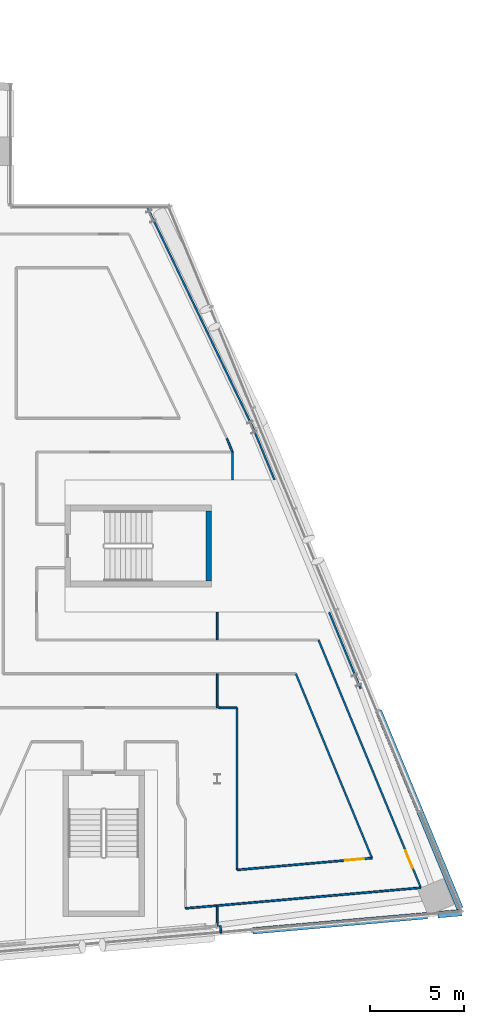
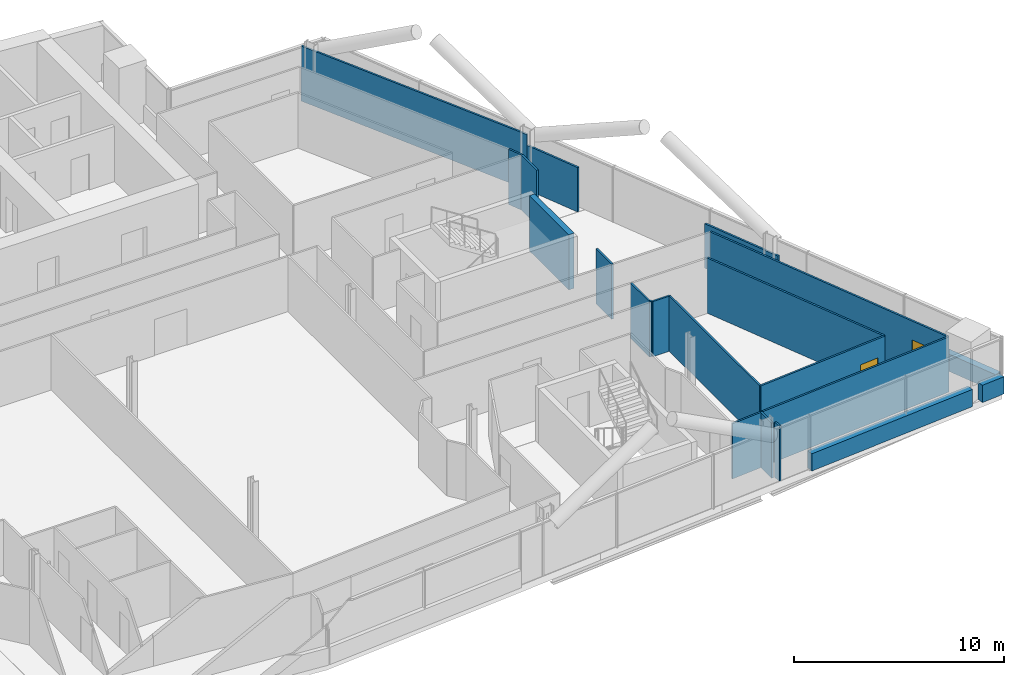
# One storey, part 20 of 27: 21 walls, 2 doors, 2 openings.
"""IFC4 building model written with IfcOpenShell, lengths in metres."""

from ifc_helpers import new_model, si_unit, direction, frame, frame_2d, origin, place, context, subcontext, project, spatial, rectangle, extrude, material, layer, layer_set, type_object, element, fill, save


model = new_model("IFC4")

# Units and contexts
model_context = context("Model", 3, precision=1e-05, world=origin(), true_north=direction((0.0, 1.0)))
body_context = subcontext(model_context, "Body", "Model", "MODEL_VIEW")
ifc_project = project(units=[si_unit("LENGTHUNIT", "METRE"), si_unit("AREAUNIT", "SQUARE_METRE"), si_unit("VOLUMEUNIT", "CUBIC_METRE"), si_unit("PLANEANGLEUNIT", "RADIAN"), si_unit("MASSUNIT", "GRAM", prefix="KILO")], contexts=[model_context])

# Site, building, storey
site_placement = place(None, origin())
site = spatial("IfcSite", under=ifc_project, at=site_placement, CompositionType="ELEMENT")
building_placement = place(site_placement, origin())
building = spatial("IfcBuilding", under=site, at=building_placement, Name="Wharfspan Tower", CompositionType="ELEMENT")
storey_placement = place(building_placement, frame((0.0, 0.0, 191.5)))
storey = spatial("IfcBuildingStorey", under=building, at=storey_placement, Name="L47", CompositionType="ELEMENT", Elevation=191.5)

# Walls
ifc_material_1 = material(Name="Gypsum board on steel studs", Category="steel")
ifc_layer_1 = layer(ifc_material_1, 0.100098)
ifc_layer_set_1 = layer_set([ifc_layer_1], Name="Gypsum board on steel studs")
wall_type_1 = type_object("IfcWallType", Name="Compartment wall 100 EI 60", PredefinedType="PARTITIONING", material=ifc_layer_set_1)
wall_1_placement = place(storey_placement, frame((70.310059, 4.620117, 0.0), z_axis=(0.0, 0.0, 1.0), x_axis=(0.996348, 0.085356, 0.0)))
element("IfcWall", 1, at=wall_1_placement, inside=storey, type_object=wall_type_1, Name="Partition L47.w110", PredefinedType="PARTITIONING", context=body_context, shape_type="SweptSolid", body=[
    extrude(rectangle(XDim=1.696045, YDim=0.100098, at=frame_2d((0.848145, 0.0))), origin(), (0.0, 0.0, 1.0), 3.199951),
])
wall_2_placement = place(storey_placement, frame((72.0, 3.679932, 0.0), z_axis=(0.0, 0.0, 1.0), x_axis=(0.0, 1.0, 0.0)))
element("IfcWall", 2, at=wall_2_placement, inside=storey, type_object=wall_type_1, Name="Partition L47.w113", PredefinedType="PARTITIONING", context=body_context, shape_type="SweptSolid", body=[
    extrude(rectangle(XDim=1.084961, YDim=0.100098, at=frame_2d((0.54248, 0.0))), origin(), (0.0, 0.0, 1.0), 3.199951),
])
wall_3_placement = place(storey_placement, frame((72.0, 4.764893, 0.0), z_axis=(0.0, 0.0, 1.0), x_axis=(0.996178, 0.087362, 0.0)))
element("IfcWall", 3, at=wall_3_placement, inside=storey, type_object=wall_type_1, Name="Partition L47.w114", PredefinedType="PARTITIONING", context=body_context, shape_type="SweptSolid", body=[
    extrude(rectangle(XDim=10.876465, YDim=0.100098, at=frame_2d((5.438232, 0.0))), origin(), (0.0, 0.0, 1.0), 3.199951),
])
wall_4_placement = place(storey_placement, frame((72.0, 15.284912, 0.0), z_axis=(0.0, 0.0, 1.0), x_axis=(0.0, 1.0, 0.0)))
element("IfcWall", 4, at=wall_4_placement, inside=storey, type_object=wall_type_1, Name="Partition L47.w115", PredefinedType="PARTITIONING", context=body_context, shape_type="SweptSolid", body=[
    extrude(rectangle(XDim=1.815186, YDim=0.100098, at=frame_2d((0.907715, 0.0))), origin(), (0.0, 0.0, 1.0), 3.199951),
])
wall_5_placement = place(storey_placement, frame((72.0, 18.899902, 0.0), z_axis=(0.0, 0.0, 1.0), x_axis=(0.0, 1.0, 0.0)))
element("IfcWall", 5, at=wall_5_placement, inside=storey, type_object=wall_type_1, Name="Partition L47.w116", PredefinedType="PARTITIONING", context=body_context, shape_type="SweptSolid", body=[
    extrude(rectangle(XDim=1.47998, YDim=0.100098, at=frame_2d((0.73999, 0.0))), origin(), (0.0, 0.0, 1.0), 3.199951),
])
wall_6_placement = place(storey_placement, frame((72.110107, 15.284912, 0.0), z_axis=(0.0, 0.0, 1.0), x_axis=(1.0, 0.0, 0.0)))
element("IfcWall", 6, at=wall_6_placement, inside=storey, type_object=wall_type_1, Name="Partition L47.w117", PredefinedType="PARTITIONING", context=body_context, shape_type="SweptSolid", body=[
    extrude(rectangle(XDim=0.939941, YDim=0.100098, at=frame_2d((0.469971, 0.0))), origin(), (0.0, 0.0, 1.0), 3.199951),
])
wall_7_placement = place(storey_placement, frame((72.110107, 15.284912, 0.0), z_axis=(0.0, 0.0, 1.0), x_axis=(-0.675728, 0.737158, 0.0)))
element("IfcWall", 7, at=wall_7_placement, inside=storey, type_object=wall_type_1, Name="Partition L47.w118", PredefinedType="PARTITIONING", context=body_context, shape_type="SweptSolid", body=[
    extrude(rectangle(XDim=0.162842, YDim=0.100098, at=frame_2d((0.081543, 0.0))), origin(), (0.0, 0.0, 1.0), 3.199951),
])
wall_8_placement = place(storey_placement, frame((72.810059, 28.899902, 0.0), z_axis=(0.0, 0.0, 1.0), x_axis=(-0.379219, 0.925307, 0.0)))
element("IfcWall", 8, at=wall_8_placement, inside=storey, type_object=wall_type_1, Name="Partition L47.w121", PredefinedType="PARTITIONING", context=body_context, shape_type="SweptSolid", body=[
    extrude(rectangle(XDim=0.77832, YDim=0.100098, at=frame_2d((0.38916, 0.0))), origin(), (0.0, 0.0, 1.0), 3.199951),
])
wall_9_placement = place(storey_placement, frame((72.810059, 27.419922, 0.0), z_axis=(0.0, 0.0, 1.0), x_axis=(0.0, 1.0, 0.0)))
element("IfcWall", 9, at=wall_9_placement, inside=storey, type_object=wall_type_1, Name="Partition L47.w122", PredefinedType="PARTITIONING", context=body_context, shape_type="SweptSolid", body=[
    extrude(rectangle(XDim=1.47998, YDim=0.100098, at=frame_2d((0.73999, 0.0))), origin(), (0.0, 0.0, 1.0), 3.199951),
])

# Wall, opening, door
wall_10_placement = place(storey_placement, frame((73.050049, 6.665039, 0.0), z_axis=(0.0, 0.0, 1.0), x_axis=(0.996183, 0.087331, 0.0)))
wall_10 = element("IfcWall", 10, at=wall_10_placement, inside=storey, type_object=wall_type_1, Name="Partition L47.w123", PredefinedType="PARTITIONING", context=body_context, shape_type="SweptSolid", body=[
    extrude(rectangle(XDim=7.212646, YDim=0.100098, at=frame_2d((3.606445, 0.0))), origin(), (0.0, 0.0, 1.0), 3.199951),
])
opening_1_placement = place(wall_10_placement, frame((5.786133, 0.0, 0.0)))
opening_1 = element("IfcOpeningElement", 11, at=opening_1_placement, cuts=wall_10, Name="Opening C5-07", PredefinedType="OPENING", context=body_context, shape_type="SweptSolid", body=[
    extrude(rectangle(XDim=1.0, YDim=2.100098, at=frame_2d((0.5, 1.050049))), frame((0.0, 0.060059, 0.0), z_axis=(0.0, -1.0, 0.0), x_axis=(1.0, 0.0, 0.0)), (0.0, 0.0, 1.0), 0.120117),
])
ifc_material_2 = material(Name="Fire-rated timber door leaf in steel frame", Category="steel")
door_type_1 = type_object("IfcDoorType", Name="Door 1000 FD30S Right", OperationType="SINGLE_SWING_RIGHT", PredefinedType="DOOR", material=ifc_material_2)
door_1_placement = place(opening_1_placement, origin())
door_1 = element("IfcDoor", 12, at=door_1_placement, inside=storey, type_object=door_type_1, Name="Door C5-07", OperationType="SINGLE_SWING_RIGHT", OverallHeight=2.100098, OverallWidth=1.0, PredefinedType="DOOR", context=body_context, shape_type="SweptSolid", body=[
    extrude(rectangle(XDim=1.0, YDim=2.100098, at=frame_2d((0.5, 1.050049))), frame((0.0, 0.024902, 0.0), z_axis=(0.0, -1.0, 0.0), x_axis=(1.0, 0.0, 0.0)), (0.0, 0.0, 1.0), 0.050049),
])
fill(opening_1, door_1)

# Walls
wall_11_placement = place(storey_placement, frame((73.050049, 6.665039, 0.0), z_axis=(0.0, 0.0, 1.0), x_axis=(0.0, 1.0, 0.0)))
element("IfcWall", 13, at=wall_11_placement, inside=storey, type_object=wall_type_1, Name="Partition L47.w124", PredefinedType="PARTITIONING", context=body_context, shape_type="SweptSolid", body=[
    extrude(rectangle(XDim=8.619873, YDim=0.100098, at=frame_2d((4.310059, 0.0))), origin(), (0.0, 0.0, 1.0), 3.199951),
])
wall_12_placement = place(storey_placement, frame((80.235107, 7.294922, 0.0), z_axis=(0.0, 0.0, 1.0), x_axis=(-0.381768, 0.924261, 0.0)))
element("IfcWall", 14, at=wall_12_placement, inside=storey, type_object=wall_type_1, Name="Partition L47.w128", PredefinedType="PARTITIONING", context=body_context, shape_type="SweptSolid", body=[
    extrude(rectangle(XDim=10.608643, YDim=0.100098, at=frame_2d((5.304199, 0.0))), origin(), (0.0, 0.0, 1.0), 3.199951),
])

# Wall, opening, door
wall_13_placement = place(storey_placement, frame((82.834961, 5.715088, 0.0), z_axis=(0.0, 0.0, 1.0), x_axis=(-0.381709, 0.924279, 0.0)))
wall_13 = element("IfcWall", 15, at=wall_13_placement, inside=storey, type_object=wall_type_1, Name="Partition L47.w129", PredefinedType="PARTITIONING", context=body_context, shape_type="SweptSolid", body=[
    extrude(rectangle(XDim=14.264893, YDim=0.100098, at=frame_2d((7.132324, 0.0))), origin(), (0.0, 0.0, 1.0), 3.199951),
])
opening_2_placement = place(wall_13_placement, frame((1.145996, 0.0, 0.0)))
opening_2 = element("IfcOpeningElement", 16, at=opening_2_placement, cuts=wall_13, Name="Opening C5-08", PredefinedType="OPENING", context=body_context, shape_type="SweptSolid", body=[
    extrude(rectangle(XDim=1.0, YDim=2.100098, at=frame_2d((0.5, 1.050049))), frame((0.0, 0.060059, 0.0), z_axis=(0.0, -1.0, 0.0), x_axis=(1.0, 0.0, 0.0)), (0.0, 0.0, 1.0), 0.120117),
])
door_type_2 = type_object("IfcDoorType", Name="Door 1000 FD30S Left", OperationType="SINGLE_SWING_LEFT", PredefinedType="DOOR", material=ifc_material_2)
door_2_placement = place(opening_2_placement, origin())
door_2 = element("IfcDoor", 17, at=door_2_placement, inside=storey, type_object=door_type_2, Name="Door C5-08", OperationType="SINGLE_SWING_LEFT", OverallHeight=2.100098, OverallWidth=1.0, PredefinedType="DOOR", context=body_context, shape_type="SweptSolid", body=[
    extrude(rectangle(XDim=1.0, YDim=2.100098, at=frame_2d((0.5, 1.050049))), frame((0.0, 0.024902, 0.0), z_axis=(0.0, -1.0, 0.0), x_axis=(1.0, 0.0, 0.0)), (0.0, 0.0, 1.0), 0.050049),
])
fill(opening_2, door_2)

# Walls
ifc_layer_2 = layer(ifc_material_1, 0.100098)
ifc_layer_set_2 = layer_set([ifc_layer_2], Name="Gypsum board on steel studs")
wall_type_2 = type_object("IfcWallType", Name="Partition 100", PredefinedType="PARTITIONING", material=ifc_layer_set_2)
wall_14_placement = place(storey_placement, frame((72.198242, 3.300049, 0.0), z_axis=(0.0, 0.0, 1.0), x_axis=(-0.083759, 0.996486, 0.0)))
element("IfcWall", 18, at=wall_14_placement, inside=storey, type_object=wall_type_2, Name="Partition L47.w119", PredefinedType="PARTITIONING", context=body_context, shape_type="SweptSolid", body=[
    extrude(rectangle(XDim=0.396484, YDim=0.100098, at=frame_2d((0.198242, 0.0))), origin(), (0.0, 0.0, 1.0), 3.199951),
])
wall_15_placement = place(storey_placement, frame((73.88501, 30.22998, 0.0), z_axis=(0.0, 0.0, 1.0), x_axis=(-0.432032, 0.901863, 0.0)))
element("IfcWall", 19, at=wall_15_placement, inside=storey, type_object=wall_type_2, Name="Partition L47.w125", PredefinedType="PARTITIONING", context=body_context, shape_type="SweptSolid", body=[
    extrude(rectangle(XDim=13.014893, YDim=0.100098, at=frame_2d((6.507324, 0.0))), origin(), (0.0, 0.0, 1.0), 3.199951),
])
wall_16_placement = place(storey_placement, frame((75.046631, 27.419922, 0.0), z_axis=(0.0, 0.0, 1.0), x_axis=(-0.382024, 0.924148, 0.0)))
element("IfcWall", 20, at=wall_16_placement, inside=storey, type_object=wall_type_2, Name="Partition L47.w126", PredefinedType="PARTITIONING", context=body_context, shape_type="SweptSolid", body=[
    extrude(rectangle(XDim=3.040771, YDim=0.100098, at=frame_2d((1.520508, 0.0))), origin(), (0.0, 0.0, 1.0), 2.580078),
])
wall_17_placement = place(storey_placement, frame((79.629883, 16.310059, 0.0), z_axis=(0.0, 0.0, 1.0), x_axis=(-0.380933, 0.9246, 0.0)))
element("IfcWall", 21, at=wall_17_placement, inside=storey, type_object=wall_type_2, Name="Partition L47.w127", PredefinedType="PARTITIONING", context=body_context, shape_type="SweptSolid", body=[
    extrude(rectangle(XDim=4.401611, YDim=0.100098, at=frame_2d((2.200684, 0.0))), origin(), (0.0, 0.0, 1.0), 2.580078),
])
ifc_material_3 = material(Name="Concrete C40/50", Category="concrete")
ifc_layer_3 = layer(ifc_material_3, 0.350098)
ifc_layer_set_3 = layer_set([ifc_layer_3], Name="Concrete C40/50")
wall_type_3 = type_object("IfcWallType", Name="SPANDREL EXPOSED CONCRETE 350", PredefinedType="SOLIDWALL", material=ifc_layer_set_3)
wall_18_placement = place(storey_placement, frame((73.887451, 3.422852, 0.0), z_axis=(0.0, 0.0, 1.0), x_axis=(0.996197, 0.087145, 0.0)))
element("IfcWall", 22, at=wall_18_placement, inside=storey, type_object=wall_type_3, Name="Spandrel upstand L47 S2 2", PredefinedType="SOLIDWALL", context=body_context, shape_type="SweptSolid", body=[
    extrude(rectangle(XDim=9.323486, YDim=0.350098, at=frame_2d((4.661621, 0.0))), origin(), (0.0, 0.0, 1.0), 1.0),
])
wall_19_placement = place(storey_placement, frame((83.744629, 4.285156, 0.0), z_axis=(0.0, 0.0, 1.0), x_axis=(0.996198, 0.087148, 0.0)))
element("IfcWall", 23, at=wall_19_placement, inside=storey, type_object=wall_type_3, Name="Spandrel upstand L47 S2 3", PredefinedType="SOLIDWALL", context=body_context, shape_type="SweptSolid", body=[
    extrude(rectangle(XDim=1.260742, YDim=0.350098, at=frame_2d((0.630371, 0.0))), origin(), (0.0, 0.0, 1.0), 1.0),
])
wall_20_placement = place(storey_placement, frame((84.91626, 4.615967, 0.0), z_axis=(0.0, 0.0, 1.0), x_axis=(-0.381598, 0.924328, 0.0)))
element("IfcWall", 24, at=wall_20_placement, inside=storey, type_object=wall_type_3, Name="Spandrel upstand L47 E", PredefinedType="SOLIDWALL", context=body_context, shape_type="SweptSolid", body=[
    extrude(rectangle(XDim=11.360596, YDim=0.350098, at=frame_2d((5.680176, 0.0))), origin(), (0.0, 0.0, 1.0), 1.0),
])
ifc_layer_4 = layer(ifc_material_3, 0.300049)
ifc_layer_set_4 = layer_set([ifc_layer_4], Name="Concrete C40/50")
wall_type_4 = type_object("IfcWallType", Name="Stair core wall 300", PredefinedType="SHEAR", material=ifc_layer_set_4)
wall_21_placement = place(storey_placement, frame((71.554688, 22.024902, 0.0), z_axis=(0.0, 0.0, 1.0), x_axis=(0.0, 1.0, 0.0)))
element("IfcWall", 25, at=wall_21_placement, inside=storey, type_object=wall_type_4, Name="ST6 stair enclosure wall L47", PredefinedType="SHEAR", context=body_context, shape_type="SweptSolid", body=[
    extrude(rectangle(XDim=3.75, YDim=0.300049, at=frame_2d((1.875, 0.0))), origin(), (0.0, 0.0, 1.0), 3.199951),
])

save(model, "model.ifc")
